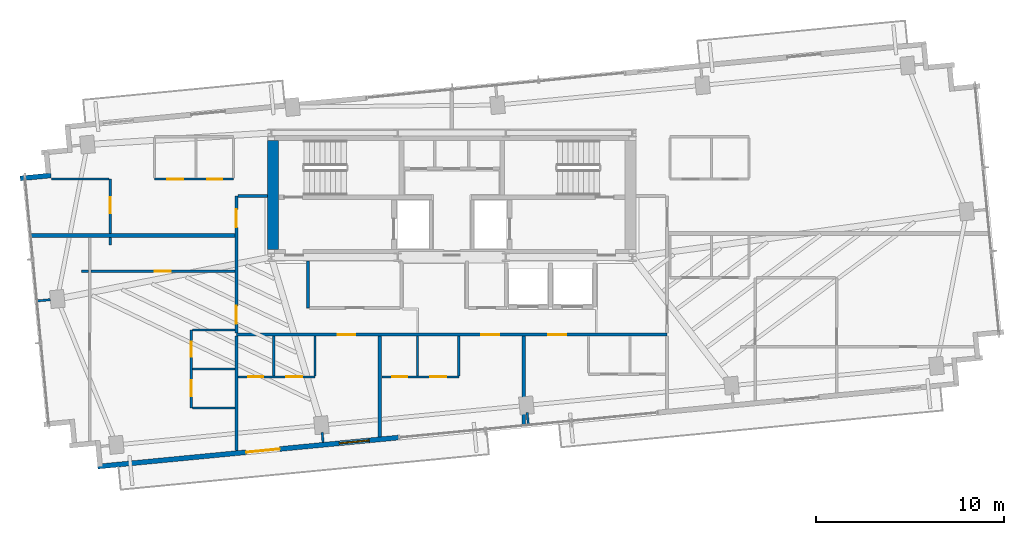
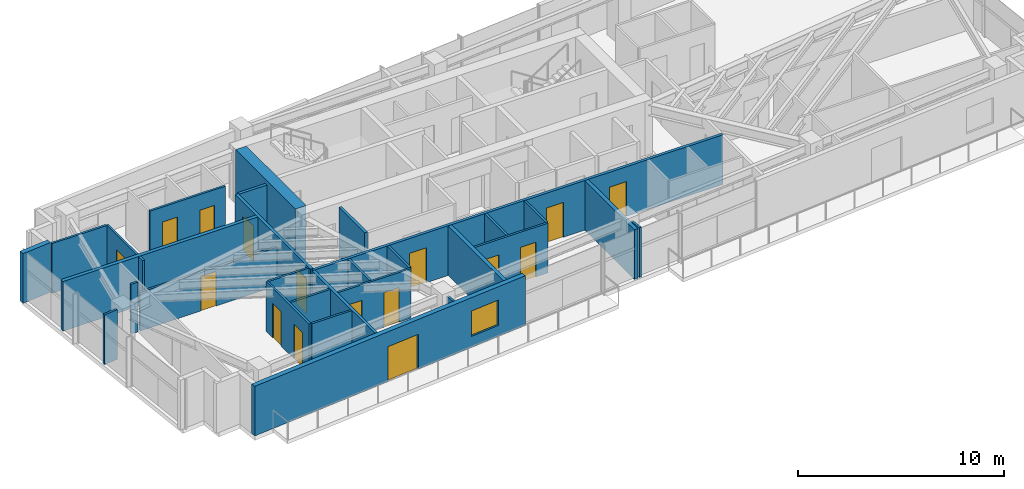
# One storey, part 13 of 18: 30 walls, 16 doors, 1 window, 17 openings.
"""IFC4 building model written with IfcOpenShell, lengths in metres."""

import ifcopenshell
import ifcopenshell.guid

model = None  # the IFC model being written
_history = None  # IfcOwnerHistory: only IFC2X3 demands one
_inside = {}  # id of a spatial element -> (the spatial element, [elements in it])
_under = {}  # id of a project, library or spatial element -> (it, [spatial elements below it])
_declared = {}  # id of a project -> (the project, [libraries it declares])
_typed = {}  # id of a type object -> (the type object, [elements of that type])
_made_of = {}  # id of a material, layer set ... -> (it, [elements and type objects made of it])


def new_model(schema):
    """Start an empty IFC model of exactly this schema.

    Asked for "IFC4X3", IfcOpenShell would pick the latest addendum, in which some entities
    have other attributes; the version numbers below select the first issue.
    IFC2X3 requires an IfcOwnerHistory on every rooted entity: one is made here for all.
    """
    global model, _history
    if schema == "IFC4X3":
        model = ifcopenshell.file(schema_version=(4, 3, 0, 0))
    else:
        model = ifcopenshell.file(schema=schema)
    _inside.clear()
    _under.clear()
    _declared.clear()
    _typed.clear()
    _made_of.clear()
    _history = None
    if model.schema == "IFC2X3":
        org = make("IfcOrganization", Name="unknown")
        user = make(
            "IfcPersonAndOrganization",
            ThePerson=make("IfcPerson", FamilyName="unknown"),
            TheOrganization=org,
        )
        app = make(
            "IfcApplication",
            ApplicationDeveloper=org,
            Version="unknown",
            ApplicationFullName="unknown",
            ApplicationIdentifier="unknown",
        )
        _history = make(
            "IfcOwnerHistory",
            OwningUser=user,
            OwningApplication=app,
            ChangeAction="ADDED",
            CreationDate=0,
        )
    return model


def make(cls, **values):
    """One entity of the class cls with the attributes given. An attribute that is None is left unset."""
    return model.create_entity(
        cls, **{name: value for name, value in values.items() if value is not None}
    )


def rooted(cls, **values):
    """An entity with a GlobalId (a new one), such as an element, a storey or a relation."""
    return make(cls, GlobalId=ifcopenshell.guid.new(), OwnerHistory=_history, **values)


def si_unit(unit_type, name, prefix=None):
    """IfcSIUnit, for example si_unit("LENGTHUNIT", "METRE", prefix="MILLI")."""
    return make("IfcSIUnit", UnitType=unit_type, Prefix=prefix, Name=name)


def assignment(units):
    """IfcUnitAssignment: the units of a project."""
    return None if units is None else make("IfcUnitAssignment", Units=units)


def point(xyz):
    """IfcCartesianPoint."""
    return None if xyz is None else make("IfcCartesianPoint", Coordinates=xyz)


def direction(xyz):
    """IfcDirection."""
    return None if xyz is None else make("IfcDirection", DirectionRatios=xyz)


def frame(location, z_axis=None, x_axis=None):
    """IfcAxis2Placement3D, a coordinate frame: its origin and axes. An axis left out is left unset."""
    return make(
        "IfcAxis2Placement3D",
        Location=point(location),
        Axis=direction(z_axis),
        RefDirection=direction(x_axis),
    )


def frame_2d(location, x_axis=None):
    """IfcAxis2Placement2D, a coordinate frame in the plane: its origin and x axis."""
    return make(
        "IfcAxis2Placement2D", Location=point(location), RefDirection=direction(x_axis)
    )


def origin():
    """The frame at (0, 0, 0) with its axes left unset."""
    return frame((0.0, 0.0, 0.0))


def place(relative_to, where):
    """IfcLocalPlacement: puts the frame where relative to a parent placement (None: the world)."""
    return make(
        "IfcLocalPlacement", PlacementRelTo=relative_to, RelativePlacement=where
    )


def context(
    kind, dimensions, precision=None, world=None, true_north=None, identifier=None
):
    """IfcGeometricRepresentationContext, for example the 3D "Model" context."""
    return make(
        "IfcGeometricRepresentationContext",
        ContextIdentifier=identifier,
        ContextType=kind,
        CoordinateSpaceDimension=dimensions,
        Precision=precision,
        WorldCoordinateSystem=world,
        TrueNorth=true_north,
    )


def subcontext(parent, identifier, kind, view, scale=None):
    """IfcGeometricRepresentationSubContext, for example "Body" below "Model"."""
    return make(
        "IfcGeometricRepresentationSubContext",
        ContextIdentifier=identifier,
        ContextType=kind,
        ParentContext=parent,
        TargetScale=scale,
        TargetView=view,
    )


def project(units=None, contexts=None):
    """IfcProject with its units and contexts."""
    return rooted(
        "IfcProject",
        Name="project",
        RepresentationContexts=contexts,
        UnitsInContext=assignment(units),
    )


def spatial(cls, under=None, at=None, **own):
    """A site, building, storey or space (cls), placed at a placement, below another one or the project."""
    s = rooted(cls, ObjectPlacement=at, **own)
    if under is not None:
        _under.setdefault(under.id(), (under, []))[1].append(s)
    return s


def profile(cls, at=None, kind="AREA", **sizes):
    """A parametric profile (cls). Its sizes go by their IFC names, for example OverallWidth=200.0."""
    return make(cls, ProfileType=kind, Position=at, **sizes)


def rectangle(**sizes):
    """IfcRectangleProfileDef."""
    return profile("IfcRectangleProfileDef", **sizes)


def extrude(swept, where, along, depth):
    """IfcExtrudedAreaSolid: the profile swept, set in the frame where, extruded along a direction by depth."""
    return make(
        "IfcExtrudedAreaSolid",
        SweptArea=swept,
        Position=where,
        ExtrudedDirection=direction(along),
        Depth=depth,
    )


def shape(context_of_items, identifier, shape_type, items):
    """IfcShapeRepresentation: the items that make up one representation, for example the "Body"."""
    return make(
        "IfcShapeRepresentation",
        ContextOfItems=context_of_items,
        RepresentationIdentifier=identifier,
        RepresentationType=shape_type,
        Items=items,
    )


def source(mapping_origin, context_of_items, identifier, shape_type, items):
    """IfcRepresentationMap: a shape defined once, which mapped items show again and again."""
    return make(
        "IfcRepresentationMap",
        MappingOrigin=mapping_origin,
        MappedRepresentation=shape(context_of_items, identifier, shape_type, items),
    )


def transform(
    local_origin,
    x_axis=None,
    y_axis=None,
    z_axis=None,
    scale=None,
    scale2=None,
    scale3=None,
    uniform=True,
):
    """IfcCartesianTransformationOperator3D, or its non-uniform kind. x_axis, y_axis, z_axis: its Axis1, 2, 3."""
    if uniform:
        return make(
            "IfcCartesianTransformationOperator3D",
            Axis1=direction(x_axis),
            Axis2=direction(y_axis),
            LocalOrigin=point(local_origin),
            Scale=scale,
            Axis3=direction(z_axis),
        )
    return make(
        "IfcCartesianTransformationOperator3DnonUniform",
        Axis1=direction(x_axis),
        Axis2=direction(y_axis),
        LocalOrigin=point(local_origin),
        Scale=scale,
        Axis3=direction(z_axis),
        Scale2=scale2,
        Scale3=scale3,
    )


def mapped(mapping_source, mapping_target):
    """IfcMappedItem: shows the shape of a source again, moved by a transform."""
    return make(
        "IfcMappedItem", MappingSource=mapping_source, MappingTarget=mapping_target
    )


def material(Name=None, Category=None):
    """IfcMaterial."""
    return make("IfcMaterial", Name=Name, Category=Category)


def layer(
    of_material, thickness, ventilated=None, Name=None, Category=None, Priority=None
):
    """IfcMaterialLayer: one layer of a wall or slab, of a material (None: an air gap)."""
    return make(
        "IfcMaterialLayer",
        Material=of_material,
        LayerThickness=thickness,
        IsVentilated=ventilated,
        Name=Name,
        Category=Category,
        Priority=Priority,
    )


def layer_set(layers, Name=None):
    """IfcMaterialLayerSet."""
    return make("IfcMaterialLayerSet", MaterialLayers=layers, LayerSetName=Name)


def made_of(thing, what):
    """Note that an element or type object is made of a material, layer set ...; save() writes the relation."""
    if what is not None:
        _made_of.setdefault(what.id(), (what, []))[1].append(thing)
    return thing


def type_object(cls, material=None, **own):
    """A type object (cls), such as IfcWallType, which elements share."""
    return made_of(rooted(cls, **own), material)


def type_shapes(of_type, sources):
    """Give a type object the sources (RepresentationMaps) that its elements show as mapped items."""
    of_type.RepresentationMaps = sources


def element(
    cls,
    number,
    at=None,
    inside=None,
    cuts=None,
    type_object=None,
    material=None,
    context=None,
    identifier="Body",
    shape_type=None,
    held_by="IfcProductDefinitionShape",
    body=None,
    shapes=None,
    **own,
):
    """One element of the class cls, such as IfcWall. Its Tag is "e" and its number.

    at: its placement. inside: the storey or other place that contains it. cuts: it is an
    opening in that element (IfcRelVoidsElement). A single representation is given by context,
    identifier, shape_type and body (its items); several are given by shapes. held_by: the class
    of the entity that holds the representations. save() writes the other relations.
    """
    e = rooted(cls, Tag="e%d" % number, ObjectPlacement=at, **own)
    if body is not None:
        shapes = [shape(context, identifier, shape_type, body)]
    if shapes is not None:
        e.Representation = make(held_by, Representations=shapes)
    if inside is not None:
        _inside.setdefault(inside.id(), (inside, []))[1].append(e)
    if cuts is not None:
        rooted(
            "IfcRelVoidsElement", RelatingBuildingElement=cuts, RelatedOpeningElement=e
        )
    if type_object is not None:
        _typed.setdefault(type_object.id(), (type_object, []))[1].append(e)
    return made_of(e, material)


def fill(opening, filler):
    """IfcRelFillsElement: the door or window that sits in an opening."""
    return rooted(
        "IfcRelFillsElement",
        RelatingOpeningElement=opening,
        RelatedBuildingElement=filler,
    )


def aggregate(whole, parts):
    """IfcRelAggregates: a whole, such as a stair, and the parts it consists of."""
    return rooted("IfcRelAggregates", RelatingObject=whole, RelatedObjects=parts)


def save(model, path):
    """Write the relations noted so far, then the file.

    IfcRelAggregates (storeys below a building ...), IfcRelContainedInSpatialStructure (elements
    in a storey), IfcRelDefinesByType, IfcRelAssociatesMaterial and IfcRelDeclares: one each for
    every whole, place, type object, material and project.
    """
    for whole, parts in _under.values():
        aggregate(whole, parts)
    for where, things in _inside.values():
        rooted(
            "IfcRelContainedInSpatialStructure",
            RelatedElements=things,
            RelatingStructure=where,
        )
    for kind, things in _typed.values():
        rooted("IfcRelDefinesByType", RelatedObjects=things, RelatingType=kind)
    for what, things in _made_of.values():
        rooted("IfcRelAssociatesMaterial", RelatedObjects=things, RelatingMaterial=what)
    for by, libraries in _declared.values():
        rooted("IfcRelDeclares", RelatingContext=by, RelatedDefinitions=libraries)
    model.write(path)


model = new_model("IFC4")

# Units and contexts
model_context = context("Model", 3, precision=1e-05, world=origin(), true_north=direction((0.0, 1.0)))
body_context = subcontext(model_context, "Body", "Model", "MODEL_VIEW")
ifc_project = project(units=[si_unit("LENGTHUNIT", "METRE"), si_unit("AREAUNIT", "SQUARE_METRE"), si_unit("VOLUMEUNIT", "CUBIC_METRE"), si_unit("PLANEANGLEUNIT", "RADIAN"), si_unit("MASSUNIT", "GRAM", prefix="KILO")], contexts=[model_context])

# Site, building, storey
site_placement = place(None, origin())
site = spatial("IfcSite", under=ifc_project, at=site_placement, CompositionType="ELEMENT")
building_placement = place(site_placement, origin())
building = spatial("IfcBuilding", under=site, at=building_placement, Name="Astriad Promenade Condominiums", CompositionType="ELEMENT")
storey_placement = place(building_placement, frame((0.0, 0.0, 205.0)))
storey = spatial("IfcBuildingStorey", under=building, at=storey_placement, Name="L59", CompositionType="ELEMENT", Elevation=205.0)

# Wall
ifc_material_1 = material(Name="Concrete C50/60", Category="concrete")
ifc_layer_1 = layer(ifc_material_1, 0.60009765625)
ifc_layer_set_1 = layer_set([ifc_layer_1], Name="Concrete C50/60")
wall_type_1 = type_object("IfcWallType", Name="CW-SHEAR-600", PredefinedType="SHEAR", material=ifc_layer_set_1)
wall_1_placement = place(storey_placement, frame((26.5, 17.802001953125, 0.0), z_axis=(0.0, 0.0, 1.0), x_axis=(0.0, 1.0, 0.0)))
element("IfcWall", 1, at=wall_1_placement, inside=storey, type_object=wall_type_1, Name="CW-CORE-W-L59", PredefinedType="SHEAR", context=body_context, shape_type="SweptSolid", body=[
    extrude(rectangle(XDim=5.7958984375, YDim=0.60009765625, at=frame_2d((2.89794921875, 0.0))), origin(), (0.0, 0.0, 1.0), 3.199951171875),
])

# Wall, openings, doors
ifc_material_2 = material(Name="Fire-Rated Gypsum Partition")
ifc_layer_2 = layer(ifc_material_2, 0.159912109375)
ifc_layer_set_2 = layer_set([ifc_layer_2], Name="Fire-Rated Gypsum Partition")
wall_type_2 = type_object("IfcWallType", Name="WALL-CORR-160", PredefinedType="PARTITIONING", material=ifc_layer_set_2)
wall_2_placement = place(storey_placement, frame((24.550048828125, 13.280029296875, 0.0), z_axis=(0.0, 0.0, 1.0), x_axis=(1.0, 0.0, 0.0)))
wall_2 = element("IfcWall", 2, at=wall_2_placement, inside=storey, type_object=wall_type_2, Name="PT-COR-S-L59", PredefinedType="PARTITIONING", context=body_context, shape_type="SweptSolid", body=[
    extrude(rectangle(XDim=22.89990234375, YDim=0.159912109375, at=frame_2d((11.449951171875, 0.0))), origin(), (0.0, 0.0, 1.0), 2.93994140625),
])
opening_1_placement = place(wall_2_placement, frame((5.3779296875, 0.0, 0.0)))
opening_1 = element("IfcOpeningElement", 3, at=opening_1_placement, cuts=wall_2, Name="Opening FD60-APT-095", PredefinedType="OPENING", context=body_context, shape_type="SweptSolid", body=[
    extrude(rectangle(XDim=0.949951171875, YDim=2.06005859375, at=frame_2d((0.47509765625, 1.030029296875))), frame((0.0, 0.08984375, 0.0), z_axis=(0.0, -1.0, 0.0), x_axis=(1.0, 0.0, 0.0)), (0.0, 0.0, 1.0), 0.179931640625),
])
opening_2_placement = place(wall_2_placement, frame((13.02490234375, 0.0, 0.0)))
opening_2 = element("IfcOpeningElement", 4, at=opening_2_placement, cuts=wall_2, Name="Opening FD60-APT-095", PredefinedType="OPENING", context=body_context, shape_type="SweptSolid", body=[
    extrude(rectangle(XDim=0.949951171875, YDim=2.06005859375, at=frame_2d((0.47509765625, 1.030029296875))), frame((0.0, 0.08984375, 0.0), z_axis=(0.0, -1.0, 0.0), x_axis=(1.0, 0.0, 0.0)), (0.0, 0.0, 1.0), 0.179931640625),
])
opening_3_placement = place(wall_2_placement, frame((16.572021484375, 0.0, 0.0)))
opening_3 = element("IfcOpeningElement", 5, at=opening_3_placement, cuts=wall_2, Name="Opening FD60-APT-095", PredefinedType="OPENING", context=body_context, shape_type="SweptSolid", body=[
    extrude(rectangle(XDim=0.949951171875, YDim=2.06005859375, at=frame_2d((0.47509765625, 1.030029296875))), frame((0.0, 0.08984375, 0.0), z_axis=(0.0, -1.0, 0.0), x_axis=(1.0, 0.0, 0.0)), (0.0, 0.0, 1.0), 0.179931640625),
])
ifc_material_3 = material(Name="Solid-Core Acoustic Timber Residence Entry Door", Category="wood")
door_type_1 = type_object("IfcDoorType", Name="FD60-APT-095", OperationType="NOTDEFINED", PredefinedType="DOOR", material=ifc_material_3)
shared_shape_1 = source(origin(), body_context, "Body", "SweptSolid", [
    extrude(rectangle(XDim=0.949951171875, YDim=2.06005859375, at=frame_2d((0.47509765625, 1.030029296875))), frame((0.0, 0.02490234375, 0.0), z_axis=(0.0, -1.0, 0.0), x_axis=(1.0, 0.0, 0.0)), (0.0, 0.0, 1.0), 0.050048828125),
])
type_shapes(door_type_1, [shared_shape_1])
door_1_placement = place(opening_1_placement, origin())
door_1 = element("IfcDoor", 6, at=door_1_placement, inside=storey, type_object=door_type_1, Name="D-ENT-L59-S1", OperationType="SINGLE_SWING_LEFT", OverallHeight=2.06005859375, OverallWidth=0.949951171875, PredefinedType="DOOR", context=body_context, shape_type="MappedRepresentation", body=[
    mapped(shared_shape_1, transform((0.0, 0.0, 0.0), scale=1.0)),
])
fill(opening_1, door_1)
door_2_placement = place(opening_2_placement, origin())
door_2 = element("IfcDoor", 7, at=door_2_placement, inside=storey, type_object=door_type_1, Name="D-ENT-L59-S2", OperationType="SINGLE_SWING_RIGHT", OverallHeight=2.06005859375, OverallWidth=0.949951171875, PredefinedType="DOOR", context=body_context, shape_type="MappedRepresentation", body=[
    mapped(shared_shape_1, transform((0.0, 0.0, 0.0), scale=1.0)),
])
fill(opening_2, door_2)
door_3_placement = place(opening_3_placement, origin())
door_3 = element("IfcDoor", 8, at=door_3_placement, inside=storey, type_object=door_type_1, Name="D-ENT-L59-S3", OperationType="SINGLE_SWING_LEFT", OverallHeight=2.06005859375, OverallWidth=0.949951171875, PredefinedType="DOOR", context=body_context, shape_type="MappedRepresentation", body=[
    mapped(shared_shape_1, transform((0.0, 0.0, 0.0), scale=1.0)),
])
fill(opening_3, door_3)

# Wall
wall_3_placement = place(storey_placement, frame((24.550048828125, 7.110107421875, 0.0), z_axis=(0.0, 0.0, 1.0), x_axis=(0.0, 1.0, 0.0)))
element("IfcWall", 9, at=wall_3_placement, inside=storey, type_object=wall_type_2, Name="PT-COR-W-L59", PredefinedType="PARTITIONING", context=body_context, shape_type="SweptSolid", body=[
    extrude(rectangle(XDim=6.087890625, YDim=0.159912109375, at=frame_2d((3.0439453125, 0.0))), origin(), (0.0, 0.0, 1.0), 2.93994140625),
])

# Wall, openings, doors
wall_4_placement = place(storey_placement, frame((24.550048828125, 13.362060546875, 0.0), z_axis=(0.0, 0.0, 1.0), x_axis=(0.0, 1.0, 0.0)))
wall_4 = element("IfcWall", 10, at=wall_4_placement, inside=storey, type_object=wall_type_2, Name="PT-COR-W-L59-S2", PredefinedType="PARTITIONING", context=body_context, shape_type="SweptSolid", body=[
    extrude(rectangle(XDim=7.287841796875, YDim=0.159912109375, at=frame_2d((3.64404296875, 0.0))), origin(), (0.0, 0.0, 1.0), 2.93994140625),
])
opening_4_placement = place(wall_4_placement, frame((0.492919921875, 0.0, 0.0)))
opening_4 = element("IfcOpeningElement", 11, at=opening_4_placement, cuts=wall_4, Name="Opening FD60-APT-095", PredefinedType="OPENING", context=body_context, shape_type="SweptSolid", body=[
    extrude(rectangle(XDim=0.949951171875, YDim=2.06005859375, at=frame_2d((0.47509765625, 1.030029296875))), frame((0.0, 0.08984375, 0.0), z_axis=(0.0, -1.0, 0.0), x_axis=(1.0, 0.0, 0.0)), (0.0, 0.0, 1.0), 0.179931640625),
])
opening_5_placement = place(wall_4_placement, frame((5.623046875, 0.0, 0.0)))
opening_5 = element("IfcOpeningElement", 12, at=opening_5_placement, cuts=wall_4, Name="Opening FD60-APT-095", PredefinedType="OPENING", context=body_context, shape_type="SweptSolid", body=[
    extrude(rectangle(XDim=0.949951171875, YDim=2.06005859375, at=frame_2d((0.47509765625, 1.030029296875))), frame((0.0, 0.08984375, 0.0), z_axis=(0.0, -1.0, 0.0), x_axis=(1.0, 0.0, 0.0)), (0.0, 0.0, 1.0), 0.179931640625),
])
door_4_placement = place(opening_4_placement, origin())
door_4 = element("IfcDoor", 13, at=door_4_placement, inside=storey, type_object=door_type_1, Name="D-ENT-L59-W1", OperationType="SINGLE_SWING_RIGHT", OverallHeight=2.06005859375, OverallWidth=0.949951171875, PredefinedType="DOOR", context=body_context, shape_type="MappedRepresentation", body=[
    mapped(shared_shape_1, transform((0.0, 0.0, 0.0), scale=1.0)),
])
fill(opening_4, door_4)
door_5_placement = place(opening_5_placement, origin())
door_5 = element("IfcDoor", 14, at=door_5_placement, inside=storey, type_object=door_type_1, Name="D-ENT-L59-W2", OperationType="SINGLE_SWING_LEFT", OverallHeight=2.06005859375, OverallWidth=0.949951171875, PredefinedType="DOOR", context=body_context, shape_type="MappedRepresentation", body=[
    mapped(shared_shape_1, transform((0.0, 0.0, 0.0), scale=1.0)),
])
fill(opening_5, door_5)

# Walls
wall_5_placement = place(storey_placement, frame((24.632080078125, 20.64990234375, 0.0), z_axis=(0.0, 0.0, 1.0), x_axis=(1.0, 0.0, 0.0)))
element("IfcWall", 15, at=wall_5_placement, inside=storey, type_object=wall_type_2, Name="PT-Z3W-N-L59", PredefinedType="PARTITIONING", context=body_context, shape_type="SweptSolid", body=[
    extrude(rectangle(XDim=1.56591796875, YDim=0.159912109375, at=frame_2d((0.782958984375, 0.0))), origin(), (0.0, 0.0, 1.0), 2.93994140625),
])
wall_6_placement = place(storey_placement, frame((28.360107421875, 14.699951171875, 0.0), z_axis=(0.0, 0.0, 1.0), x_axis=(0.0, 1.0, 0.0)))
element("IfcWall", 16, at=wall_6_placement, inside=storey, type_object=wall_type_2, Name="PT-Z3REC-W-L59", PredefinedType="PARTITIONING", context=body_context, shape_type="SweptSolid", body=[
    extrude(rectangle(XDim=2.498046875, YDim=0.159912109375, at=frame_2d((1.2490234375, 0.0))), origin(), (0.0, 0.0, 1.0), 2.93994140625),
])
ifc_material_4 = material(Name="Acoustic Double-Stud Gypsum Partition")
ifc_layer_3 = layer(ifc_material_4, 0.199951171875)
ifc_layer_set_3 = layer_set([ifc_layer_3], Name="Acoustic Double-Stud Gypsum Partition")
wall_type_3 = type_object("IfcWallType", Name="WALL-DEMISING-200", PredefinedType="PARTITIONING", material=ifc_layer_set_3)
wall_7_placement = place(storey_placement, frame((32.176025390625, 7.84423828125, 0.0), z_axis=(0.0, 0.0, 1.0), x_axis=(0.0, 1.0, 0.0)))
element("IfcWall", 17, at=wall_7_placement, inside=storey, type_object=wall_type_3, Name="PT-DEM-S1-L59", PredefinedType="PARTITIONING", context=body_context, shape_type="SweptSolid", body=[
    extrude(rectangle(XDim=5.353759765625, YDim=0.199951171875, at=frame_2d((2.6767578125, 0.0))), origin(), (0.0, 0.0, 1.0), 2.93994140625),
])
wall_8_placement = place(storey_placement, frame((39.823974609375, 8.39794921875, 0.0), z_axis=(0.0, 0.0, 1.0), x_axis=(0.0, 1.0, 0.0)))
element("IfcWall", 18, at=wall_8_placement, inside=storey, type_object=wall_type_3, Name="PT-DEM-S2-L59", PredefinedType="PARTITIONING", context=body_context, shape_type="SweptSolid", body=[
    extrude(rectangle(XDim=4.800048828125, YDim=0.199951171875, at=frame_2d((2.39990234375, 0.0))), origin(), (0.0, 0.0, 1.0), 2.93994140625),
])
wall_9_placement = place(storey_placement, frame((13.561279296875, 18.550048828125, 0.0), z_axis=(0.0, 0.0, 1.0), x_axis=(1.0, 0.0, 0.0)))
element("IfcWall", 19, at=wall_9_placement, inside=storey, type_object=wall_type_3, Name="PT-DEM-WW-L59", PredefinedType="PARTITIONING", context=body_context, shape_type="SweptSolid", body=[
    extrude(rectangle(XDim=10.90673828125, YDim=0.199951171875, at=frame_2d((5.453369140625, 0.0))), origin(), (0.0, 0.0, 1.0), 2.93994140625),
])
ifc_material_5 = material(Name="Precast concrete C50/60", Category="concrete")
ifc_layer_4 = layer(ifc_material_5, 0.260009765625)
ifc_layer_set_4 = layer_set([ifc_layer_4], Name="Precast concrete C50/60")
wall_type_4 = type_object("IfcWallType", Name="WALL-EXT-TWR-260", PredefinedType="STANDARD", material=ifc_layer_set_4)
wall_10_placement = place(storey_placement, frame((13.058349609375, 21.583251953125, 0.0), z_axis=(0.0, 0.0, 1.0), x_axis=(0.995394563142, 0.095862733462, 0.0)))
element("IfcWall", 20, at=wall_10_placement, inside=storey, type_object=wall_type_4, Name="W-SER-L59-04", PredefinedType="STANDARD", context=body_context, shape_type="SweptSolid", body=[
    extrude(rectangle(XDim=1.64013671875, YDim=0.260009765625, at=frame_2d((0.820068359375, 0.0))), origin(), (0.0, 0.0, 1.0), 2.93994140625),
])

# Wall, openings, door, window
wall_11_placement = place(storey_placement, frame((33.201171875, 7.810302734375, 0.0), z_axis=(0.0, 0.0, 1.0), x_axis=(-0.995397074604, -0.095836652014, 0.0)))
wall_11 = element("IfcWall", 21, at=wall_11_placement, inside=storey, type_object=wall_type_4, Name="W-EXT-L59-S2", PredefinedType="STANDARD", context=body_context, shape_type="SweptSolid", body=[
    extrude(rectangle(XDim=16.10009765625, YDim=0.260009765625, at=frame_2d((8.050048828125, 0.0))), origin(), (0.0, 0.0, 1.0), 2.93994140625),
])
opening_6_placement = place(wall_11_placement, frame((6.3701171875, 0.0, 0.0)))
opening_6 = element("IfcOpeningElement", 22, at=opening_6_placement, cuts=wall_11, Name="Opening BD-1822-SLD", PredefinedType="OPENING", context=body_context, shape_type="SweptSolid", body=[
    extrude(rectangle(XDim=1.800048828125, YDim=2.06005859375, at=frame_2d((0.89990234375, 1.030029296875))), frame((0.0, 0.139892578125, 0.0), z_axis=(0.0, -1.0, 0.0), x_axis=(1.0, 0.0, 0.0)), (0.0, 0.0, 1.0), 0.280029296875),
])
opening_7_placement = place(wall_11_placement, frame((1.60009765625, 0.0, 0.64990234375)))
opening_7 = element("IfcOpeningElement", 23, at=opening_7_placement, cuts=wall_11, Name="Opening WIN-TWR-1620", PredefinedType="OPENING", context=body_context, shape_type="SweptSolid", body=[
    extrude(rectangle(XDim=1.60009765625, YDim=1.5, at=frame_2d((0.800048828125, 0.75))), frame((0.0, 0.139892578125, 0.0), z_axis=(0.0, -1.0, 0.0), x_axis=(1.0, 0.0, 0.0)), (0.0, 0.0, 1.0), 0.280029296875),
])
ifc_material_6 = material(Name="Thermally Broken Aluminium Sliding Balcony Door", Category="aluminium")
door_type_2 = type_object("IfcDoorType", Name="BD-1822-SLD", OperationType="NOTDEFINED", PredefinedType="DOOR", material=ifc_material_6)
shared_shape_2 = source(origin(), body_context, "Body", "SweptSolid", [
    extrude(rectangle(XDim=1.800048828125, YDim=2.06005859375, at=frame_2d((0.89990234375, 1.030029296875))), frame((0.0, 0.02490234375, 0.0), z_axis=(0.0, -1.0, 0.0), x_axis=(1.0, 0.0, 0.0)), (0.0, 0.0, 1.0), 0.050048828125),
])
type_shapes(door_type_2, [shared_shape_2])
door_6_placement = place(opening_6_placement, origin())
door_6 = element("IfcDoor", 24, at=door_6_placement, inside=storey, type_object=door_type_2, Name="BD-L59-SW", OperationType="SLIDING_TO_LEFT", OverallHeight=2.06005859375, OverallWidth=1.800048828125, PredefinedType="DOOR", context=body_context, shape_type="MappedRepresentation", body=[
    mapped(shared_shape_2, transform((0.0, 0.0, 0.0), scale=1.0)),
])
fill(opening_6, door_6)
ifc_material_7 = material(Name="Dark Tinted Triple-Glazed Aluminium Window", Category="aluminium")
window_type = type_object("IfcWindowType", Name="WIN-TWR-1620", PartitioningType="SINGLE_PANEL", PredefinedType="WINDOW", material=ifc_material_7)
shared_shape_3 = source(origin(), body_context, "Body", "SweptSolid", [
    extrude(rectangle(XDim=1.60009765625, YDim=1.5, at=frame_2d((0.800048828125, 0.75))), frame((0.0, 0.030029296875, 0.0), z_axis=(0.0, -1.0, 0.0), x_axis=(1.0, 0.0, 0.0)), (0.0, 0.0, 1.0), 0.06005859375),
])
type_shapes(window_type, [shared_shape_3])
window_placement = place(opening_7_placement, origin())
window = element("IfcWindow", 25, at=window_placement, inside=storey, type_object=window_type, Name="WIN-L59-SW", OverallHeight=1.5, OverallWidth=1.60009765625, PartitioningType="SINGLE_PANEL", PredefinedType="WINDOW", context=body_context, shape_type="MappedRepresentation", body=[
    mapped(shared_shape_3, transform((0.0, 0.0, 0.0), scale=1.0)),
])
fill(opening_7, window)

# Wall, openings, doors
ifc_material_8 = material(Name="Acoustic Metal-Stud Gypsum Partition")
ifc_layer_5 = layer(ifc_material_8, 0.1201171875)
ifc_layer_set_5 = layer_set([ifc_layer_5], Name="Acoustic Metal-Stud Gypsum Partition")
wall_type_5 = type_object("IfcWallType", Name="WALL-PART-120", PredefinedType="PARTITIONING", material=ifc_layer_set_5)
wall_12_placement = place(storey_placement, frame((24.632080078125, 11.030029296875, 0.0), z_axis=(0.0, 0.0, 1.0), x_axis=(1.0, 0.0, 0.0)))
wall_12 = element("IfcWall", 26, at=wall_12_placement, inside=storey, type_object=wall_type_5, Name="PT-L59-S1-PS", PredefinedType="PARTITIONING", context=body_context, shape_type="SweptSolid", body=[
    extrude(rectangle(XDim=4.097900390625, YDim=0.1201171875, at=frame_2d((2.048828125, 0.0))), origin(), (0.0, 0.0, 1.0), 2.93994140625),
])
opening_8_placement = place(wall_12_placement, frame((0.548095703125, 0.0, 0.0)))
opening_8 = element("IfcOpeningElement", 27, at=opening_8_placement, cuts=wall_12, Name="Opening D-WET-080", PredefinedType="OPENING", context=body_context, shape_type="SweptSolid", body=[
    extrude(rectangle(XDim=0.800048828125, YDim=2.02001953125, at=frame_2d((0.39990234375, 1.010009765625))), frame((0.0, 0.070068359375, 0.0), z_axis=(0.0, -1.0, 0.0), x_axis=(1.0, 0.0, 0.0)), (0.0, 0.0, 1.0), 0.14013671875),
])
opening_9_placement = place(wall_12_placement, frame((2.572998046875, 0.0, 0.0)))
opening_9 = element("IfcOpeningElement", 28, at=opening_9_placement, cuts=wall_12, Name="Opening D-INT-085", PredefinedType="OPENING", context=body_context, shape_type="SweptSolid", body=[
    extrude(rectangle(XDim=0.85009765625, YDim=2.050048828125, at=frame_2d((0.425048828125, 1.02490234375))), frame((0.0, 0.070068359375, 0.0), z_axis=(0.0, -1.0, 0.0), x_axis=(1.0, 0.0, 0.0)), (0.0, 0.0, 1.0), 0.14013671875),
])
ifc_material_9 = material(Name="Moisture-Resistant Timber Bathroom Door", Category="wood")
door_type_3 = type_object("IfcDoorType", Name="D-WET-080", OperationType="NOTDEFINED", PredefinedType="DOOR", material=ifc_material_9)
shared_shape_4 = source(origin(), body_context, "Body", "SweptSolid", [
    extrude(rectangle(XDim=0.800048828125, YDim=2.02001953125, at=frame_2d((0.39990234375, 1.010009765625))), frame((0.0, 0.02490234375, 0.0), z_axis=(0.0, -1.0, 0.0), x_axis=(1.0, 0.0, 0.0)), (0.0, 0.0, 1.0), 0.050048828125),
])
type_shapes(door_type_3, [shared_shape_4])
door_7_placement = place(opening_8_placement, origin())
door_7 = element("IfcDoor", 29, at=door_7_placement, inside=storey, type_object=door_type_3, Name="D-BTH-L59-S1", OperationType="SINGLE_SWING_RIGHT", OverallHeight=2.02001953125, OverallWidth=0.800048828125, PredefinedType="DOOR", context=body_context, shape_type="MappedRepresentation", body=[
    mapped(shared_shape_4, transform((0.0, 0.0, 0.0), scale=1.0)),
])
fill(opening_8, door_7)
ifc_material_10 = material(Name="Painted Solid-Core Timber Room Door", Category="wood")
door_type_4 = type_object("IfcDoorType", Name="D-INT-085", OperationType="NOTDEFINED", PredefinedType="DOOR", material=ifc_material_10)
shared_shape_5 = source(origin(), body_context, "Body", "SweptSolid", [
    extrude(rectangle(XDim=0.85009765625, YDim=2.050048828125, at=frame_2d((0.425048828125, 1.02490234375))), frame((0.0, 0.02490234375, 0.0), z_axis=(0.0, -1.0, 0.0), x_axis=(1.0, 0.0, 0.0)), (0.0, 0.0, 1.0), 0.050048828125),
])
type_shapes(door_type_4, [shared_shape_5])
door_8_placement = place(opening_9_placement, origin())
door_8 = element("IfcDoor", 30, at=door_8_placement, inside=storey, type_object=door_type_4, Name="D-KIT-L59-S1", OperationType="SINGLE_SWING_LEFT", OverallHeight=2.050048828125, OverallWidth=0.85009765625, PredefinedType="DOOR", context=body_context, shape_type="MappedRepresentation", body=[
    mapped(shared_shape_5, transform((0.0, 0.0, 0.0), scale=1.0)),
])
fill(opening_9, door_8)

# Walls
for number, where, z_axis, x_axis, name in (
    (31, (28.72998046875, 11.092041015625, 0.0), (0.0, 0.0, 1.0), (0.0, 1.0, 0.0), "PT-L59-S1-PK"),
    (32, (26.530029296875, 11.092041015625, 0.0), (0.0, 0.0, 1.0), (0.0, 1.0, 0.0), "PT-L59-S1-PB"),
):
    element("IfcWall", number, at=place(storey_placement, frame(where, z_axis=z_axis, x_axis=x_axis)), inside=storey, type_object=wall_type_5, Name=name, PredefinedType="PARTITIONING", context=body_context, shape_type="SweptSolid", body=[
        extrude(rectangle(XDim=2.10595703125, YDim=0.1201171875, at=frame_2d((1.052978515625, 0.0))), origin(), (0.0, 0.0, 1.0), 2.93994140625),
    ])

# Wall, openings, doors
wall_13_placement = place(storey_placement, frame((32.278076171875, 11.030029296875, 0.0), z_axis=(0.0, 0.0, 1.0), x_axis=(1.0, 0.0, 0.0)))
wall_13 = element("IfcWall", 33, at=wall_13_placement, inside=storey, type_object=wall_type_5, Name="PT-L59-S2-PS", PredefinedType="PARTITIONING", context=body_context, shape_type="SweptSolid", body=[
    extrude(rectangle(XDim=4.097900390625, YDim=0.1201171875, at=frame_2d((2.048828125, 0.0))), origin(), (0.0, 0.0, 1.0), 2.93994140625),
])
opening_10_placement = place(wall_13_placement, frame((0.548095703125, 0.0, 0.0)))
opening_10 = element("IfcOpeningElement", 34, at=opening_10_placement, cuts=wall_13, Name="Opening D-WET-080", PredefinedType="OPENING", context=body_context, shape_type="SweptSolid", body=[
    extrude(rectangle(XDim=0.800048828125, YDim=2.02001953125, at=frame_2d((0.39990234375, 1.010009765625))), frame((0.0, 0.070068359375, 0.0), z_axis=(0.0, -1.0, 0.0), x_axis=(1.0, 0.0, 0.0)), (0.0, 0.0, 1.0), 0.14013671875),
])
opening_11_placement = place(wall_13_placement, frame((2.572998046875, 0.0, 0.0)))
opening_11 = element("IfcOpeningElement", 35, at=opening_11_placement, cuts=wall_13, Name="Opening D-INT-085", PredefinedType="OPENING", context=body_context, shape_type="SweptSolid", body=[
    extrude(rectangle(XDim=0.85009765625, YDim=2.050048828125, at=frame_2d((0.425048828125, 1.02490234375))), frame((0.0, 0.070068359375, 0.0), z_axis=(0.0, -1.0, 0.0), x_axis=(1.0, 0.0, 0.0)), (0.0, 0.0, 1.0), 0.14013671875),
])
door_9_placement = place(opening_10_placement, origin())
door_9 = element("IfcDoor", 36, at=door_9_placement, inside=storey, type_object=door_type_3, Name="D-BTH-L59-S2", OperationType="SINGLE_SWING_LEFT", OverallHeight=2.02001953125, OverallWidth=0.800048828125, PredefinedType="DOOR", context=body_context, shape_type="MappedRepresentation", body=[
    mapped(shared_shape_4, transform((0.0, 0.0, 0.0), scale=1.0)),
])
fill(opening_10, door_9)
door_10_placement = place(opening_11_placement, origin())
door_10 = element("IfcDoor", 37, at=door_10_placement, inside=storey, type_object=door_type_4, Name="D-KIT-L59-S2", OperationType="SINGLE_SWING_RIGHT", OverallHeight=2.050048828125, OverallWidth=0.85009765625, PredefinedType="DOOR", context=body_context, shape_type="MappedRepresentation", body=[
    mapped(shared_shape_5, transform((0.0, 0.0, 0.0), scale=1.0)),
])
fill(opening_11, door_10)

# Walls
for number, where, z_axis, x_axis, name in (
    (38, (36.3759765625, 11.092041015625, 0.0), (0.0, 0.0, 1.0), (0.0, 1.0, 0.0), "PT-L59-S2-PK"),
    (39, (34.176025390625, 11.092041015625, 0.0), (0.0, 0.0, 1.0), (0.0, 1.0, 0.0), "PT-L59-S2-PB"),
):
    element("IfcWall", number, at=place(storey_placement, frame(where, z_axis=z_axis, x_axis=x_axis)), inside=storey, type_object=wall_type_5, Name=name, PredefinedType="PARTITIONING", context=body_context, shape_type="SweptSolid", body=[
        extrude(rectangle(XDim=2.10595703125, YDim=0.1201171875, at=frame_2d((1.052978515625, 0.0))), origin(), (0.0, 0.0, 1.0), 2.93994140625),
    ])

# Wall, openings, doors
wall_14_placement = place(storey_placement, frame((22.14990234375, 9.3798828125, 0.0), z_axis=(0.0, 0.0, 1.0), x_axis=(0.0, 1.0, 0.0)))
wall_14 = element("IfcWall", 40, at=wall_14_placement, inside=storey, type_object=wall_type_5, Name="PT-L59-W1-PV", PredefinedType="PARTITIONING", context=body_context, shape_type="SweptSolid", body=[
    extrude(rectangle(XDim=4.150146484375, YDim=0.1201171875, at=frame_2d((2.0751953125, 0.0))), origin(), (0.0, 0.0, 1.0), 2.93994140625),
])
opening_12_placement = place(wall_14_placement, frame((0.613037109375, 0.0, 0.0)))
opening_12 = element("IfcOpeningElement", 41, at=opening_12_placement, cuts=wall_14, Name="Opening D-INT-085", PredefinedType="OPENING", context=body_context, shape_type="SweptSolid", body=[
    extrude(rectangle(XDim=0.85009765625, YDim=2.050048828125, at=frame_2d((0.425048828125, 1.02490234375))), frame((0.0, 0.070068359375, 0.0), z_axis=(0.0, -1.0, 0.0), x_axis=(1.0, 0.0, 0.0)), (0.0, 0.0, 1.0), 0.14013671875),
])
opening_13_placement = place(wall_14_placement, frame((2.7119140625, 0.0, 0.0)))
opening_13 = element("IfcOpeningElement", 42, at=opening_13_placement, cuts=wall_14, Name="Opening D-WET-080", PredefinedType="OPENING", context=body_context, shape_type="SweptSolid", body=[
    extrude(rectangle(XDim=0.800048828125, YDim=2.02001953125, at=frame_2d((0.39990234375, 1.010009765625))), frame((0.0, 0.070068359375, 0.0), z_axis=(0.0, -1.0, 0.0), x_axis=(1.0, 0.0, 0.0)), (0.0, 0.0, 1.0), 0.14013671875),
])
door_11_placement = place(opening_13_placement, origin())
door_11 = element("IfcDoor", 43, at=door_11_placement, inside=storey, type_object=door_type_3, Name="D-BTH-L59-W1", OperationType="SINGLE_SWING_RIGHT", OverallHeight=2.02001953125, OverallWidth=0.800048828125, PredefinedType="DOOR", context=body_context, shape_type="MappedRepresentation", body=[
    mapped(shared_shape_4, transform((0.0, 0.0, 0.0), scale=1.0)),
])
fill(opening_13, door_11)
door_12_placement = place(opening_12_placement, origin())
door_12 = element("IfcDoor", 44, at=door_12_placement, inside=storey, type_object=door_type_4, Name="D-KIT-L59-W1", OperationType="SINGLE_SWING_LEFT", OverallHeight=2.050048828125, OverallWidth=0.85009765625, PredefinedType="DOOR", context=body_context, shape_type="MappedRepresentation", body=[
    mapped(shared_shape_5, transform((0.0, 0.0, 0.0), scale=1.0)),
])
fill(opening_12, door_12)

# Walls
for number, where, z_axis, x_axis, name in (
    (45, (22.2119140625, 11.455078125, 0.0), (0.0, 0.0, 1.0), (1.0, 0.0, 0.0), "PT-L59-W1-PM"),
    (46, (22.2119140625, 9.3798828125, 0.0), (0.0, 0.0, 1.0), (1.0, 0.0, 0.0), "PT-L59-W1-PS"),
    (47, (22.2119140625, 13.530029296875, 0.0), (0.0, 0.0, 1.0), (1.0, 0.0, 0.0), "PT-L59-W1-PN"),
):
    element("IfcWall", number, at=place(storey_placement, frame(where, z_axis=z_axis, x_axis=x_axis)), inside=storey, type_object=wall_type_5, Name=name, PredefinedType="PARTITIONING", context=body_context, shape_type="SweptSolid", body=[
        extrude(rectangle(XDim=2.256103515625, YDim=0.1201171875, at=frame_2d((1.1279296875, 0.0))), origin(), (0.0, 0.0, 1.0), 2.93994140625),
    ])
wall_15_placement = place(storey_placement, frame((16.31103515625, 16.65087890625, 0.0), z_axis=(0.0, 0.0, 1.0), x_axis=(1.0, 0.0, 0.0)))
element("IfcWall", 48, at=wall_15_placement, inside=storey, type_object=wall_type_5, Name="PT-L59-W1-WDN1", PredefinedType="PARTITIONING", context=body_context, shape_type="SweptSolid", body=[
    extrude(rectangle(XDim=0.3779296875, YDim=0.1201171875, at=frame_2d((0.18896484375, 0.0))), origin(), (0.0, 0.0, 1.0), 2.93994140625),
])

# Wall, opening, door
wall_16_placement = place(storey_placement, frame((16.81298828125, 16.65087890625, 0.0), z_axis=(0.0, 0.0, 1.0), x_axis=(1.0, 0.0, 0.0)))
wall_16 = element("IfcWall", 49, at=wall_16_placement, inside=storey, type_object=wall_type_5, Name="PT-L59-W1-WDN1-S2", PredefinedType="PARTITIONING", context=body_context, shape_type="SweptSolid", body=[
    extrude(rectangle(XDim=7.655029296875, YDim=0.1201171875, at=frame_2d((3.82763671875, 0.0))), origin(), (0.0, 0.0, 1.0), 2.281494140625),
])
opening_14_placement = place(wall_16_placement, frame((3.403076171875, 0.0, 0.0)))
opening_14 = element("IfcOpeningElement", 50, at=opening_14_placement, cuts=wall_16, Name="Opening D-INT-085", PredefinedType="OPENING", context=body_context, shape_type="SweptSolid", body=[
    extrude(rectangle(XDim=0.85009765625, YDim=2.050048828125, at=frame_2d((0.425048828125, 1.02490234375))), frame((0.0, 0.070068359375, 0.0), z_axis=(0.0, -1.0, 0.0), x_axis=(1.0, 0.0, 0.0)), (0.0, 0.0, 1.0), 0.14013671875),
])
door_13_placement = place(opening_14_placement, origin())
door_13 = element("IfcDoor", 51, at=door_13_placement, inside=storey, type_object=door_type_4, Name="D-WDN1-L59-W1", OperationType="SINGLE_SWING_RIGHT", OverallHeight=2.050048828125, OverallWidth=0.85009765625, PredefinedType="DOOR", context=body_context, shape_type="MappedRepresentation", body=[
    mapped(shared_shape_5, transform((0.0, 0.0, 0.0), scale=1.0)),
])
fill(opening_14, door_13)

# Wall, openings, doors
wall_17_placement = place(storey_placement, frame((20.199951171875, 21.550048828125, 0.0), z_axis=(0.0, 0.0, 1.0), x_axis=(1.0, 0.0, 0.0)))
wall_17 = element("IfcWall", 52, at=wall_17_placement, inside=storey, type_object=wall_type_5, Name="PT-L59-W2-PH", PredefinedType="PARTITIONING", context=body_context, shape_type="SweptSolid", body=[
    extrude(rectangle(XDim=4.199951171875, YDim=0.1201171875, at=frame_2d((2.10009765625, 0.0))), origin(), (0.0, 0.0, 1.0), 2.93994140625),
])
opening_15_placement = place(wall_17_placement, frame((0.675048828125, 0.0, 0.0)))
opening_15 = element("IfcOpeningElement", 53, at=opening_15_placement, cuts=wall_17, Name="Opening D-INT-085", PredefinedType="OPENING", context=body_context, shape_type="SweptSolid", body=[
    extrude(rectangle(XDim=0.85009765625, YDim=2.050048828125, at=frame_2d((0.425048828125, 1.02490234375))), frame((0.0, 0.070068359375, 0.0), z_axis=(0.0, -1.0, 0.0), x_axis=(1.0, 0.0, 0.0)), (0.0, 0.0, 1.0), 0.14013671875),
])
opening_16_placement = place(wall_17_placement, frame((2.800048828125, 0.0, 0.0)))
opening_16 = element("IfcOpeningElement", 54, at=opening_16_placement, cuts=wall_17, Name="Opening D-WET-080", PredefinedType="OPENING", context=body_context, shape_type="SweptSolid", body=[
    extrude(rectangle(XDim=0.800048828125, YDim=2.02001953125, at=frame_2d((0.39990234375, 1.010009765625))), frame((0.0, 0.070068359375, 0.0), z_axis=(0.0, -1.0, 0.0), x_axis=(1.0, 0.0, 0.0)), (0.0, 0.0, 1.0), 0.14013671875),
])
door_14_placement = place(opening_16_placement, origin())
door_14 = element("IfcDoor", 55, at=door_14_placement, inside=storey, type_object=door_type_3, Name="D-BTH-L59-W2", OperationType="SINGLE_SWING_RIGHT", OverallHeight=2.02001953125, OverallWidth=0.800048828125, PredefinedType="DOOR", context=body_context, shape_type="MappedRepresentation", body=[
    mapped(shared_shape_4, transform((0.0, 0.0, 0.0), scale=1.0)),
])
fill(opening_16, door_14)
door_15_placement = place(opening_15_placement, origin())
door_15 = element("IfcDoor", 56, at=door_15_placement, inside=storey, type_object=door_type_4, Name="D-KIT-L59-W2", OperationType="SINGLE_SWING_LEFT", OverallHeight=2.050048828125, OverallWidth=0.85009765625, PredefinedType="DOOR", context=body_context, shape_type="MappedRepresentation", body=[
    mapped(shared_shape_5, transform((0.0, 0.0, 0.0), scale=1.0)),
])
fill(opening_15, door_15)

# Wall
wall_18_placement = place(storey_placement, frame((17.841064453125, 18.050048828125, 0.0), z_axis=(0.0, 0.0, 1.0), x_axis=(0.0, 1.0, 0.0)))
element("IfcWall", 57, at=wall_18_placement, inside=storey, type_object=wall_type_5, Name="PT-L59-W2-CAP1", PredefinedType="PARTITIONING", context=body_context, shape_type="SweptSolid", body=[
    extrude(rectangle(XDim=0.39794921875, YDim=0.1201171875, at=frame_2d((0.198974609375, 0.0))), origin(), (0.0, 0.0, 1.0), 2.93994140625),
])

# Wall, opening, door
wall_19_placement = place(storey_placement, frame((17.841064453125, 18.652099609375, 0.0), z_axis=(0.0, 0.0, 1.0), x_axis=(0.0, 1.0, 0.0)))
wall_19 = element("IfcWall", 58, at=wall_19_placement, inside=storey, type_object=wall_type_5, Name="PT-L59-W2-CAP1-S2", PredefinedType="PARTITIONING", context=body_context, shape_type="SweptSolid", body=[
    extrude(rectangle(XDim=2.89794921875, YDim=0.1201171875, at=frame_2d((1.448974609375, 0.0))), origin(), (0.0, 0.0, 1.0), 2.93994140625),
])
opening_17_placement = place(wall_19_placement, frame((1.072998046875, 0.0, 0.0)))
opening_17 = element("IfcOpeningElement", 59, at=opening_17_placement, cuts=wall_19, Name="Opening D-INT-085", PredefinedType="OPENING", context=body_context, shape_type="SweptSolid", body=[
    extrude(rectangle(XDim=0.85009765625, YDim=2.050048828125, at=frame_2d((0.425048828125, 1.02490234375))), frame((0.0, 0.070068359375, 0.0), z_axis=(0.0, -1.0, 0.0), x_axis=(1.0, 0.0, 0.0)), (0.0, 0.0, 1.0), 0.14013671875),
])
door_16_placement = place(opening_17_placement, origin())
door_16 = element("IfcDoor", 60, at=door_16_placement, inside=storey, type_object=door_type_4, Name="D-CAP1-L59-W2", OperationType="SINGLE_SWING_RIGHT", OverallHeight=2.050048828125, OverallWidth=0.85009765625, PredefinedType="DOOR", context=body_context, shape_type="MappedRepresentation", body=[
    mapped(shared_shape_5, transform((0.0, 0.0, 0.0), scale=1.0)),
])
fill(opening_17, door_16)

# Walls
wall_20_placement = place(storey_placement, frame((14.708984375, 21.550048828125, 0.0), z_axis=(0.0, 0.0, 1.0), x_axis=(1.0, 0.0, 0.0)))
element("IfcWall", 61, at=wall_20_placement, inside=storey, type_object=wall_type_5, Name="PT-L59-W2-CAP1H", PredefinedType="PARTITIONING", context=body_context, shape_type="SweptSolid", body=[
    extrude(rectangle(XDim=3.070068359375, YDim=0.1201171875, at=frame_2d((1.53515625, 0.0))), origin(), (0.0, 0.0, 1.0), 2.93994140625),
])
wall_21_placement = place(storey_placement, frame((29.10546875, 8.089111328125, 0.0), z_axis=(0.0, 0.0, 1.0), x_axis=(0.095772948675, -0.995403205893, 0.0)))
element("IfcWall", 62, at=wall_21_placement, inside=storey, type_object=wall_type_5, Name="PT-PIL-L59-PC02-9", PredefinedType="PARTITIONING", context=body_context, shape_type="SweptSolid", body=[
    extrude(rectangle(XDim=0.537841796875, YDim=0.1201171875, at=frame_2d((0.26904296875, 0.0))), origin(), (0.0, 0.0, 1.0), 2.93994140625),
])
wall_22_placement = place(storey_placement, frame((40.005126953125, 9.138671875, 0.0), z_axis=(0.0, 0.0, 1.0), x_axis=(0.095977354523, -0.995383517755, 0.0)))
element("IfcWall", 63, at=wall_22_placement, inside=storey, type_object=wall_type_5, Name="PT-PIL-L59-PC03-10", PredefinedType="PARTITIONING", context=body_context, shape_type="SweptSolid", body=[
    extrude(rectangle(XDim=0.719970703125, YDim=0.1201171875, at=frame_2d((0.35986328125, 0.0))), origin(), (0.0, 0.0, 1.0), 2.93994140625),
])
wall_23_placement = place(storey_placement, frame((14.653564453125, 15.136474609375, 0.0), z_axis=(0.0, 0.0, 1.0), x_axis=(-0.995408440582, -0.095718527039, 0.0)))
element("IfcWall", 64, at=wall_23_placement, inside=storey, type_object=wall_type_5, Name="PT-PIL-L59-PC11-18", PredefinedType="PARTITIONING", context=body_context, shape_type="SweptSolid", body=[
    extrude(rectangle(XDim=0.760009765625, YDim=0.1201171875, at=frame_2d((0.3798828125, 0.0))), origin(), (0.0, 0.0, 1.0), 2.93994140625),
])

save(model, "model.ifc")
